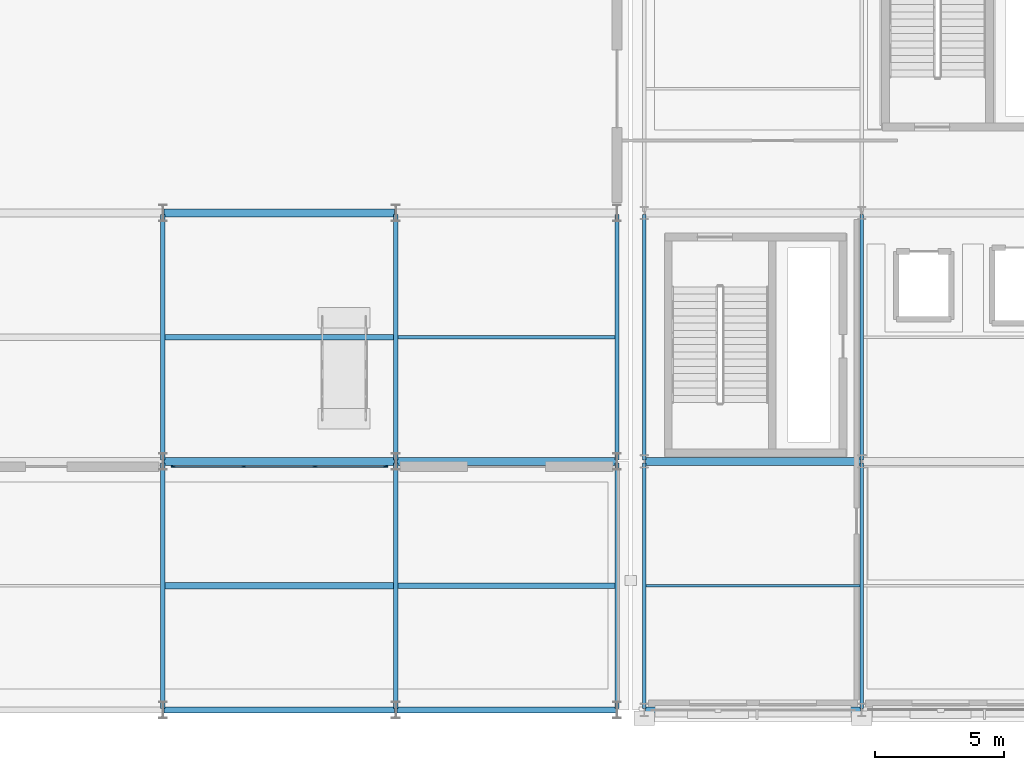
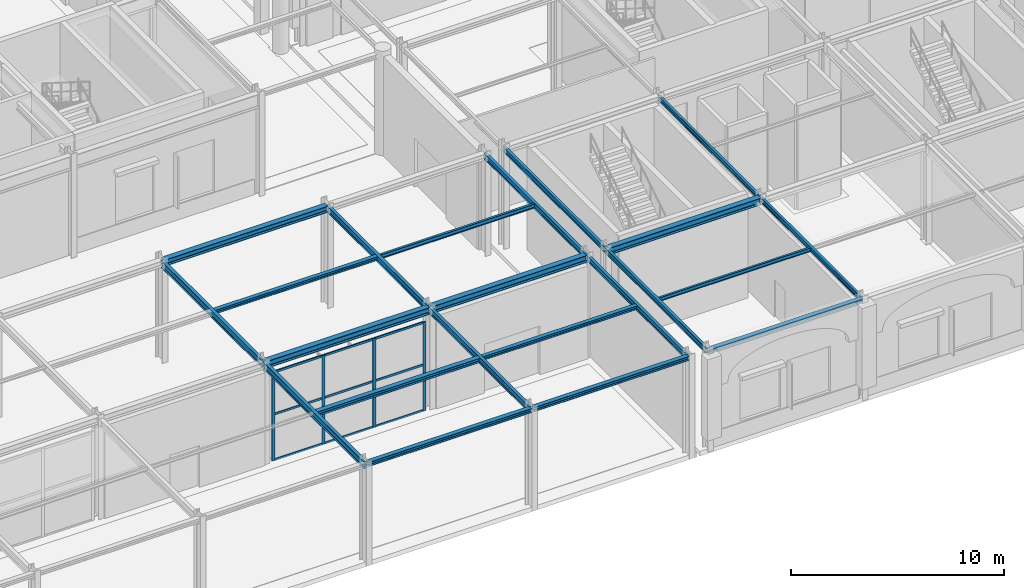
# One storey, part 31 of 113: 22 beams, 13 members, 1 element without a shape of its own.
"""IFC4 building model written with IfcOpenShell, lengths in metres."""

from ifc_helpers import new_model, si_unit, direction, frame, origin, origin_2d, place, context, subcontext, project, spatial, rectangle, i_section, extrude, material, layer, layer_set, material_profile, profile_set, type_object, element, aggregate, save


model = new_model("IFC4")

# Units and contexts
model_context = context("Model", 3, precision=1e-05, world=origin(), true_north=direction((0.0, 1.0)))
body_context = subcontext(model_context, "Body", "Model", "MODEL_VIEW")
ifc_project = project(units=[si_unit("LENGTHUNIT", "METRE"), si_unit("AREAUNIT", "SQUARE_METRE"), si_unit("VOLUMEUNIT", "CUBIC_METRE"), si_unit("PLANEANGLEUNIT", "RADIAN"), si_unit("MASSUNIT", "GRAM", prefix="KILO")], contexts=[model_context])

# Site, building, storey
site_placement = place(None, origin())
site = spatial("IfcSite", under=ifc_project, at=site_placement, CompositionType="ELEMENT")
building_placement = place(site_placement, origin())
building = spatial("IfcBuilding", under=site, at=building_placement, Name="Myrtia Square Station", CompositionType="ELEMENT")
storey_placement = place(building_placement, origin())
storey = spatial("IfcBuildingStorey", under=building, at=storey_placement, Name="L00", CompositionType="ELEMENT", Elevation=0.0)

# Beams
ifc_material_1 = material(Name="Steel S355", Category="steel")
ifc_material_profile_1 = material_profile(ifc_material_1, i_section(OverallWidth=0.300048828125, OverallDepth=0.360107421875, WebThickness=0.012451171875, FlangeThickness=0.0224609375, FilletRadius=0.027099609375, at=origin_2d()), Name="HEB 360")
ifc_profile_set_1 = profile_set([ifc_material_profile_1], Name="Steel S355")
beam_type_1 = type_object("IfcBeamType", Name="BM-HEB360", PredefinedType="BEAM", material=ifc_profile_set_1)
beam_1_placement = place(storey_placement, frame((99.050048828125, 19.199951171875, 5.580078125), z_axis=(1.0, 0.0, 0.0), x_axis=(0.0, 1.0, 0.0)))
element("IfcBeam", 1, at=beam_1_placement, inside=storey, type_object=beam_type_1, Name="Structural girder BMX-L00-0342", PredefinedType="BEAM", context=body_context, shape_type="SweptSolid", body=[
    extrude(i_section(OverallWidth=0.300048828125, OverallDepth=0.360107421875, WebThickness=0.012451171875, FlangeThickness=0.0224609375, FilletRadius=0.027099609375, at=origin_2d()), origin(), (0.0, 0.0, 1.0), 8.89990234375),
])
ifc_material_profile_2 = material_profile(ifc_material_1, i_section(OverallWidth=0.300048828125, OverallDepth=0.39990234375, WebThickness=0.013427734375, FlangeThickness=0.02392578125, FilletRadius=0.027099609375, at=origin_2d()), Name="HEB 400")
ifc_profile_set_2 = profile_set([ifc_material_profile_2], Name="Steel S355")
beam_type_2 = type_object("IfcBeamType", Name="BM-HEB400", PredefinedType="BEAM", material=ifc_profile_set_2)
beam_2_placement = place(storey_placement, frame((99.050048828125, 9.60009765625, 5.56005859375), z_axis=(1.0, 0.0, 0.0), x_axis=(0.0, 1.0, 0.0)))
element("IfcBeam", 2, at=beam_2_placement, inside=storey, type_object=beam_type_2, Name="Structural girder BMX-L00-0330", PredefinedType="BEAM", context=body_context, shape_type="SweptSolid", body=[
    extrude(i_section(OverallWidth=0.300048828125, OverallDepth=0.39990234375, WebThickness=0.013427734375, FlangeThickness=0.02392578125, FilletRadius=0.027099609375, at=origin_2d()), origin(), (0.0, 0.0, 1.0), 8.89990234375),
])
beam_3_placement = place(storey_placement, frame((108.050048828125, 9.60009765625, 5.56005859375), z_axis=(1.0, 0.0, 0.0), x_axis=(0.0, 1.0, 0.0)))
element("IfcBeam", 3, at=beam_3_placement, inside=storey, type_object=beam_type_2, Name="Structural girder BMX-L00-0331", PredefinedType="BEAM", context=body_context, shape_type="SweptSolid", body=[
    extrude(i_section(OverallWidth=0.300048828125, OverallDepth=0.39990234375, WebThickness=0.013427734375, FlangeThickness=0.02392578125, FilletRadius=0.027099609375, at=origin_2d()), origin(), (0.0, 0.0, 1.0), 8.449951171875),
])
beam_4_placement = place(storey_placement, frame((117.64990234375, 9.60009765625, 5.550048828125), z_axis=(1.0, 0.0, 0.0), x_axis=(0.0, 1.0, 0.0)))
element("IfcBeam", 4, at=beam_4_placement, inside=storey, type_object=beam_type_2, Name="Structural girder BMX-L00-0332", PredefinedType="BEAM", context=body_context, shape_type="SweptSolid", body=[
    extrude(i_section(OverallWidth=0.300048828125, OverallDepth=0.39990234375, WebThickness=0.013427734375, FlangeThickness=0.02392578125, FilletRadius=0.027099609375, at=origin_2d()), origin(), (0.0, 0.0, 1.0), 8.300048828125),
])
ifc_material_profile_3 = material_profile(ifc_material_1, i_section(OverallWidth=0.135009765625, OverallDepth=0.27001953125, WebThickness=0.006591796875, FlangeThickness=0.01025390625, FilletRadius=0.014892578125, at=origin_2d()), Name="IPE 270")
ifc_profile_set_3 = profile_set([ifc_material_profile_3], Name="Steel S355")
beam_type_3 = type_object("IfcBeamType", Name="BM-IPE270", PredefinedType="BEAM", material=ifc_profile_set_3)
for number, where, z_axis, x_axis, name in (
    (5, (126.0, 0.050048828125, 5.614990234375), (0.0, 1.0, 0.0), (-1.0, 0.0, 0.0), "Structural girder BMY-L00-0370"),
    (6, (126.0, 9.64990234375, 5.614990234375), (0.0, 1.0, 0.0), (-1.0, 0.0, 0.0), "Structural girder BMY-L00-0371"),
):
    element("IfcBeam", number, at=place(storey_placement, frame(where, z_axis=z_axis, x_axis=x_axis)), inside=storey, type_object=beam_type_3, Name=name, PredefinedType="BEAM", context=body_context, shape_type="SweptSolid", body=[
        extrude(i_section(OverallWidth=0.135009765625, OverallDepth=0.27001953125, WebThickness=0.006591796875, FlangeThickness=0.01025390625, FilletRadius=0.014892578125, at=origin_2d()), origin(), (0.0, 0.0, 1.0), 9.5),
    ])
ifc_material_profile_4 = material_profile(ifc_material_1, i_section(OverallWidth=0.14990234375, OverallDepth=0.300048828125, WebThickness=0.007080078125, FlangeThickness=0.0107421875, FilletRadius=0.014892578125, at=origin_2d()), Name="IPE 300")
ifc_profile_set_4 = profile_set([ifc_material_profile_4], Name="Steel S355")
beam_type_4 = type_object("IfcBeamType", Name="BM-IPE300", PredefinedType="BEAM", material=ifc_profile_set_4)
for number, where, z_axis, x_axis, name in (
    (7, (117.60009765625, 0.050048828125, 5.60009765625), (0.0, 1.0, 0.0), (-1.0, 0.0, 0.0), "Structural girder BMY-L00-0366"),
    (8, (117.60009765625, 9.64990234375, 5.60009765625), (0.0, 1.0, 0.0), (-1.0, 0.0, 0.0), "Structural girder BMY-L00-0367"),
):
    element("IfcBeam", number, at=place(storey_placement, frame(where, z_axis=z_axis, x_axis=x_axis)), inside=storey, type_object=beam_type_4, Name=name, PredefinedType="BEAM", context=body_context, shape_type="SweptSolid", body=[
        extrude(i_section(OverallWidth=0.14990234375, OverallDepth=0.300048828125, WebThickness=0.007080078125, FlangeThickness=0.0107421875, FilletRadius=0.014892578125, at=origin_2d()), origin(), (0.0, 0.0, 1.0), 9.5),
    ])
ifc_material_profile_5 = material_profile(ifc_material_1, i_section(OverallWidth=0.159912109375, OverallDepth=0.330078125, WebThickness=0.007568359375, FlangeThickness=0.011474609375, FilletRadius=0.01806640625, at=origin_2d()), Name="IPE 330")
ifc_profile_set_5 = profile_set([ifc_material_profile_5], Name="Steel S355")
beam_type_5 = type_object("IfcBeamType", Name="BM-IPE330", PredefinedType="BEAM", material=ifc_profile_set_5)
for number, where, z_axis, x_axis, name in (
    (9, (116.550048828125, 0.050048828125, 5.594970703125), (0.0, 1.0, 0.0), (-1.0, 0.0, 0.0), "Structural girder BMY-L00-0364"),
    (10, (116.550048828125, 9.64990234375, 5.594970703125), (0.0, 1.0, 0.0), (-1.0, 0.0, 0.0), "Structural girder BMY-L00-0365"),
):
    element("IfcBeam", number, at=place(storey_placement, frame(where, z_axis=z_axis, x_axis=x_axis)), inside=storey, type_object=beam_type_5, Name=name, PredefinedType="BEAM", context=body_context, shape_type="SweptSolid", body=[
        extrude(i_section(OverallWidth=0.159912109375, OverallDepth=0.330078125, WebThickness=0.007568359375, FlangeThickness=0.011474609375, FilletRadius=0.01806640625, at=origin_2d()), origin(), (0.0, 0.0, 1.0), 9.5),
    ])
ifc_material_profile_6 = material_profile(ifc_material_1, i_section(OverallWidth=0.169921875, OverallDepth=0.360107421875, WebThickness=0.008056640625, FlangeThickness=0.0126953125, FilletRadius=0.01806640625, at=origin_2d()), Name="IPE 360")
ifc_profile_set_6 = profile_set([ifc_material_profile_6], Name="Steel S355")
beam_type_6 = type_object("IfcBeamType", Name="BM-IPE360", PredefinedType="BEAM", material=ifc_profile_set_6)
for number, where, z_axis, x_axis, name in (
    (11, (108.0, 0.050048828125, 5.580078125), (0.0, 1.0, 0.0), (-1.0, 0.0, 0.0), "Structural girder BMY-L00-0362"),
    (12, (108.0, 9.64990234375, 5.580078125), (0.0, 1.0, 0.0), (-1.0, 0.0, 0.0), "Structural girder BMY-L00-0363"),
):
    element("IfcBeam", number, at=place(storey_placement, frame(where, z_axis=z_axis, x_axis=x_axis)), inside=storey, type_object=beam_type_6, Name=name, PredefinedType="BEAM", context=body_context, shape_type="SweptSolid", body=[
        extrude(i_section(OverallWidth=0.169921875, OverallDepth=0.360107421875, WebThickness=0.008056640625, FlangeThickness=0.0126953125, FilletRadius=0.01806640625, at=origin_2d()), origin(), (0.0, 0.0, 1.0), 9.5),
    ])
ifc_material_profile_7 = material_profile(ifc_material_1, i_section(OverallWidth=0.179931640625, OverallDepth=0.39990234375, WebThickness=0.008544921875, FlangeThickness=0.013427734375, FilletRadius=0.02099609375, at=origin_2d()), Name="IPE 400")
ifc_profile_set_7 = profile_set([ifc_material_profile_7], Name="Steel S355")
beam_type_7 = type_object("IfcBeamType", Name="BM-IPE400", PredefinedType="BEAM", material=ifc_profile_set_7)
for number, where, z_axis, x_axis, name in (
    (13, (99.0, 0.050048828125, 5.56005859375), (0.0, 1.0, 0.0), (-1.0, 0.0, 0.0), "Structural girder BMY-L00-0360"),
    (14, (99.0, 9.64990234375, 5.56005859375), (0.0, 1.0, 0.0), (-1.0, 0.0, 0.0), "Structural girder BMY-L00-0361"),
):
    element("IfcBeam", number, at=place(storey_placement, frame(where, z_axis=z_axis, x_axis=x_axis)), inside=storey, type_object=beam_type_7, Name=name, PredefinedType="BEAM", context=body_context, shape_type="SweptSolid", body=[
        extrude(i_section(OverallWidth=0.179931640625, OverallDepth=0.39990234375, WebThickness=0.008544921875, FlangeThickness=0.013427734375, FilletRadius=0.02099609375, at=origin_2d()), origin(), (0.0, 0.0, 1.0), 9.5),
    ])

# Curtain wall, members
ifc_material_2 = material(Name="Dark bronze anodised aluminium", Category="aluminium")
ifc_layer = layer(ifc_material_2, 0.159912109375, Name="Dark bronze anodised aluminium")
ifc_layer_set = layer_set([ifc_layer], Name="Dark bronze anodised aluminium")
curtain_wall_type = type_object("IfcCurtainWallType", Name="CW-TYPE-31-826x510", PredefinedType="USERDEFINED", material=ifc_layer_set)
curtain_wall_placement = place(storey_placement, origin())
curtain_wall = element("IfcCurtainWall", 15, at=curtain_wall_placement, inside=storey, type_object=curtain_wall_type, Name="Concourse curtain wall CW-L00-109", ObjectType="CONCOURSE CURTAIN WALL", PredefinedType="USERDEFINED")
ifc_material_profile_8 = material_profile(ifc_material_2, rectangle(XDim=0.06005859375, YDim=0.159912109375, at=origin_2d()), Name="ALU-M 60x160")
ifc_profile_set_8 = profile_set([ifc_material_profile_8], Name="Dark bronze anodised aluminium")
member_type_1 = type_object("IfcMemberType", Name="CWM-60x160", PredefinedType="MULLION", material=ifc_profile_set_8)
member_1_placement = place(storey_placement, frame((99.39990234375, 9.39990234375, 0.0), z_axis=(0.0, 0.0, 1.0), x_axis=(0.0, 1.0, 0.0)))
member_1 = element("IfcMember", 16, at=member_1_placement, type_object=member_type_1, Name="CW-109 mullion 1", PredefinedType="MULLION", context=body_context, shape_type="SweptSolid", body=[
    extrude(rectangle(XDim=0.06005859375, YDim=0.159912109375, at=origin_2d()), origin(), (0.0, 0.0, 1.0), 5.10009765625),
])
member_2_placement = place(storey_placement, frame((102.123291015625, 9.39990234375, 0.0), z_axis=(0.0, 0.0, 1.0), x_axis=(0.0, 1.0, 0.0)))
member_2 = element("IfcMember", 17, at=member_2_placement, type_object=member_type_1, Name="CW-109 mullion 2", PredefinedType="MULLION", context=body_context, shape_type="SweptSolid", body=[
    extrude(rectangle(XDim=0.06005859375, YDim=0.159912109375, at=origin_2d()), origin(), (0.0, 0.0, 1.0), 5.10009765625),
])
member_3_placement = place(storey_placement, frame((104.876708984375, 9.39990234375, 0.0), z_axis=(0.0, 0.0, 1.0), x_axis=(0.0, 1.0, 0.0)))
member_3 = element("IfcMember", 18, at=member_3_placement, type_object=member_type_1, Name="CW-109 mullion 3", PredefinedType="MULLION", context=body_context, shape_type="SweptSolid", body=[
    extrude(rectangle(XDim=0.06005859375, YDim=0.159912109375, at=origin_2d()), origin(), (0.0, 0.0, 1.0), 5.10009765625),
])
member_4_placement = place(storey_placement, frame((107.60009765625, 9.39990234375, 0.0), z_axis=(0.0, 0.0, 1.0), x_axis=(0.0, 1.0, 0.0)))
member_4 = element("IfcMember", 19, at=member_4_placement, type_object=member_type_1, Name="CW-109 mullion 4", PredefinedType="MULLION", context=body_context, shape_type="SweptSolid", body=[
    extrude(rectangle(XDim=0.06005859375, YDim=0.159912109375, at=origin_2d()), origin(), (0.0, 0.0, 1.0), 5.10009765625),
])
ifc_material_profile_9 = material_profile(ifc_material_2, rectangle(XDim=0.06005859375, YDim=0.1201171875, at=origin_2d()), Name="ALU-T 60x120")
ifc_profile_set_9 = profile_set([ifc_material_profile_9], Name="Dark bronze anodised aluminium")
member_type_2 = type_object("IfcMemberType", Name="CWT-60x120", PredefinedType="USERDEFINED", material=ifc_profile_set_9)
member_5_placement = place(storey_placement, frame((99.429931640625, 9.39990234375, 0.030029296875), z_axis=(1.0, 0.0, 0.0), x_axis=(0.0, 1.0, 0.0)))
member_5 = element("IfcMember", 20, at=member_5_placement, type_object=member_type_2, Name="CW-109 transom 1.1", ObjectType="TRANSOM", PredefinedType="USERDEFINED", context=body_context, shape_type="SweptSolid", body=[
    extrude(rectangle(XDim=0.06005859375, YDim=0.1201171875, at=origin_2d()), origin(), (0.0, 0.0, 1.0), 2.663330078125),
])
member_6_placement = place(storey_placement, frame((99.429931640625, 9.39990234375, 2.652099609375), z_axis=(1.0, 0.0, 0.0), x_axis=(0.0, 1.0, 0.0)))
member_6 = element("IfcMember", 21, at=member_6_placement, type_object=member_type_2, Name="CW-109 transom 1.2", ObjectType="TRANSOM", PredefinedType="USERDEFINED", context=body_context, shape_type="SweptSolid", body=[
    extrude(rectangle(XDim=0.06005859375, YDim=0.1201171875, at=origin_2d()), origin(), (0.0, 0.0, 1.0), 2.663330078125),
])
member_7_placement = place(storey_placement, frame((99.429931640625, 9.39990234375, 5.070068359375), z_axis=(1.0, 0.0, 0.0), x_axis=(0.0, 1.0, 0.0)))
member_7 = element("IfcMember", 22, at=member_7_placement, type_object=member_type_2, Name="CW-109 transom 1.3", ObjectType="TRANSOM", PredefinedType="USERDEFINED", context=body_context, shape_type="SweptSolid", body=[
    extrude(rectangle(XDim=0.06005859375, YDim=0.1201171875, at=origin_2d()), origin(), (0.0, 0.0, 1.0), 2.663330078125),
])
member_8_placement = place(storey_placement, frame((102.1533203125, 9.39990234375, 0.030029296875), z_axis=(1.0, 0.0, 0.0), x_axis=(0.0, 1.0, 0.0)))
member_8 = element("IfcMember", 23, at=member_8_placement, type_object=member_type_2, Name="CW-109 transom 2.1", ObjectType="TRANSOM", PredefinedType="USERDEFINED", context=body_context, shape_type="SweptSolid", body=[
    extrude(rectangle(XDim=0.06005859375, YDim=0.1201171875, at=origin_2d()), origin(), (0.0, 0.0, 1.0), 2.693359375),
])
member_9_placement = place(storey_placement, frame((102.1533203125, 9.39990234375, 2.652099609375), z_axis=(1.0, 0.0, 0.0), x_axis=(0.0, 1.0, 0.0)))
member_9 = element("IfcMember", 24, at=member_9_placement, type_object=member_type_2, Name="CW-109 transom 2.2", ObjectType="TRANSOM", PredefinedType="USERDEFINED", context=body_context, shape_type="SweptSolid", body=[
    extrude(rectangle(XDim=0.06005859375, YDim=0.1201171875, at=origin_2d()), origin(), (0.0, 0.0, 1.0), 2.693359375),
])
member_10_placement = place(storey_placement, frame((102.1533203125, 9.39990234375, 5.070068359375), z_axis=(1.0, 0.0, 0.0), x_axis=(0.0, 1.0, 0.0)))
member_10 = element("IfcMember", 25, at=member_10_placement, type_object=member_type_2, Name="CW-109 transom 2.3", ObjectType="TRANSOM", PredefinedType="USERDEFINED", context=body_context, shape_type="SweptSolid", body=[
    extrude(rectangle(XDim=0.06005859375, YDim=0.1201171875, at=origin_2d()), origin(), (0.0, 0.0, 1.0), 2.693359375),
])
member_11_placement = place(storey_placement, frame((104.90673828125, 9.39990234375, 0.030029296875), z_axis=(1.0, 0.0, 0.0), x_axis=(0.0, 1.0, 0.0)))
member_11 = element("IfcMember", 26, at=member_11_placement, type_object=member_type_2, Name="CW-109 transom 3.1", ObjectType="TRANSOM", PredefinedType="USERDEFINED", context=body_context, shape_type="SweptSolid", body=[
    extrude(rectangle(XDim=0.06005859375, YDim=0.1201171875, at=origin_2d()), origin(), (0.0, 0.0, 1.0), 2.663330078125),
])
member_12_placement = place(storey_placement, frame((104.90673828125, 9.39990234375, 2.652099609375), z_axis=(1.0, 0.0, 0.0), x_axis=(0.0, 1.0, 0.0)))
member_12 = element("IfcMember", 27, at=member_12_placement, type_object=member_type_2, Name="CW-109 transom 3.2", ObjectType="TRANSOM", PredefinedType="USERDEFINED", context=body_context, shape_type="SweptSolid", body=[
    extrude(rectangle(XDim=0.06005859375, YDim=0.1201171875, at=origin_2d()), origin(), (0.0, 0.0, 1.0), 2.663330078125),
])
member_13_placement = place(storey_placement, frame((104.90673828125, 9.39990234375, 5.070068359375), z_axis=(1.0, 0.0, 0.0), x_axis=(0.0, 1.0, 0.0)))
member_13 = element("IfcMember", 28, at=member_13_placement, type_object=member_type_2, Name="CW-109 transom 3.3", ObjectType="TRANSOM", PredefinedType="USERDEFINED", context=body_context, shape_type="SweptSolid", body=[
    extrude(rectangle(XDim=0.06005859375, YDim=0.1201171875, at=origin_2d()), origin(), (0.0, 0.0, 1.0), 2.663330078125),
])
aggregate(curtain_wall, [member_1, member_2, member_3, member_4, member_5, member_6, member_7, member_8, member_9, member_10, member_11, member_12, member_13])

# Beams
ifc_material_profile_10 = material_profile(ifc_material_1, i_section(OverallWidth=0.219970703125, OverallDepth=0.2099609375, WebThickness=0.007080078125, FlangeThickness=0.010986328125, FilletRadius=0.01806640625, at=origin_2d()), Name="HEA 220")
ifc_profile_set_10 = profile_set([ifc_material_profile_10], Name="Steel S355")
beam_type_8 = type_object("IfcBeamType", Name="JST-HEA220", PredefinedType="JOIST", material=ifc_profile_set_10)
beam_5_placement = place(storey_placement, frame((99.090087890625, 14.39990234375, 5.655029296875), z_axis=(1.0, 0.0, 0.0), x_axis=(0.0, 1.0, 0.0)))
element("IfcBeam", 29, at=beam_5_placement, inside=storey, type_object=beam_type_8, Name="Composite floor joist L00-0040", PredefinedType="JOIST", context=body_context, shape_type="SweptSolid", body=[
    extrude(i_section(OverallWidth=0.219970703125, OverallDepth=0.2099609375, WebThickness=0.007080078125, FlangeThickness=0.010986328125, FilletRadius=0.01806640625, at=origin_2d()), origin(), (0.0, 0.0, 1.0), 8.824951171875),
])
beam_6_placement = place(storey_placement, frame((108.0849609375, 4.800048828125, 5.655029296875), z_axis=(1.0, 0.0, 0.0), x_axis=(0.0, 1.0, 0.0)))
element("IfcBeam", 30, at=beam_6_placement, inside=storey, type_object=beam_type_8, Name="Composite floor joist L00-0041", PredefinedType="JOIST", context=body_context, shape_type="SweptSolid", body=[
    extrude(i_section(OverallWidth=0.219970703125, OverallDepth=0.2099609375, WebThickness=0.007080078125, FlangeThickness=0.010986328125, FilletRadius=0.01806640625, at=origin_2d()), origin(), (0.0, 0.0, 1.0), 8.385009765625),
])
ifc_material_profile_11 = material_profile(ifc_material_1, i_section(OverallWidth=0.260009765625, OverallDepth=0.25, WebThickness=0.007568359375, FlangeThickness=0.012451171875, FilletRadius=0.02392578125, at=origin_2d()), Name="HEA 260")
ifc_profile_set_11 = profile_set([ifc_material_profile_11], Name="Steel S355")
beam_type_9 = type_object("IfcBeamType", Name="JST-HEA260", PredefinedType="JOIST", material=ifc_profile_set_11)
beam_7_placement = place(storey_placement, frame((99.090087890625, 4.800048828125, 5.635009765625), z_axis=(1.0, 0.0, 0.0), x_axis=(0.0, 1.0, 0.0)))
element("IfcBeam", 31, at=beam_7_placement, inside=storey, type_object=beam_type_9, Name="Composite floor joist L00-0039", PredefinedType="JOIST", context=body_context, shape_type="SweptSolid", body=[
    extrude(i_section(OverallWidth=0.260009765625, OverallDepth=0.25, WebThickness=0.007568359375, FlangeThickness=0.012451171875, FilletRadius=0.02392578125, at=origin_2d()), origin(), (0.0, 0.0, 1.0), 8.824951171875),
])
ifc_material_profile_12 = material_profile(ifc_material_1, i_section(OverallWidth=0.110107421875, OverallDepth=0.219970703125, WebThickness=0.005859375, FlangeThickness=0.00927734375, FilletRadius=0.011962890625, at=origin_2d()), Name="IPE 220")
ifc_profile_set_12 = profile_set([ifc_material_profile_12], Name="Steel S355")
beam_type_10 = type_object("IfcBeamType", Name="JST-IPE220", PredefinedType="JOIST", material=ifc_profile_set_12)
beam_8_placement = place(storey_placement, frame((117.675048828125, 4.800048828125, 5.639892578125), z_axis=(1.0, 0.0, 0.0), x_axis=(0.0, 1.0, 0.0)))
element("IfcBeam", 32, at=beam_8_placement, inside=storey, type_object=beam_type_10, Name="Composite floor joist L00-0043", PredefinedType="JOIST", context=body_context, shape_type="SweptSolid", body=[
    extrude(i_section(OverallWidth=0.110107421875, OverallDepth=0.219970703125, WebThickness=0.005859375, FlangeThickness=0.00927734375, FilletRadius=0.011962890625, at=origin_2d()), origin(), (0.0, 0.0, 1.0), 8.257568359375),
])
ifc_material_profile_13 = material_profile(ifc_material_1, i_section(OverallWidth=0.1201171875, OverallDepth=0.239990234375, WebThickness=0.006103515625, FlangeThickness=0.009765625, FilletRadius=0.014892578125, at=origin_2d()), Name="IPE 240")
ifc_profile_set_13 = profile_set([ifc_material_profile_13], Name="Steel S355")
beam_type_11 = type_object("IfcBeamType", Name="JST-IPE240", PredefinedType="JOIST", material=ifc_profile_set_13)
beam_9_placement = place(storey_placement, frame((108.0849609375, 14.39990234375, 5.639892578125), z_axis=(1.0, 0.0, 0.0), x_axis=(0.0, 1.0, 0.0)))
element("IfcBeam", 33, at=beam_9_placement, inside=storey, type_object=beam_type_11, Name="Composite floor joist L00-0042", PredefinedType="JOIST", context=body_context, shape_type="SweptSolid", body=[
    extrude(i_section(OverallWidth=0.1201171875, OverallDepth=0.239990234375, WebThickness=0.006103515625, FlangeThickness=0.009765625, FilletRadius=0.014892578125, at=origin_2d()), origin(), (0.0, 0.0, 1.0), 8.385009765625),
])
ifc_material_profile_14 = material_profile(ifc_material_1, i_section(OverallWidth=0.239990234375, OverallDepth=0.239990234375, WebThickness=0.010009765625, FlangeThickness=0.01708984375, FilletRadius=0.02099609375, at=origin_2d()), Name="HEB 240")
ifc_profile_set_14 = profile_set([ifc_material_profile_14], Name="Steel S355")
beam_type_12 = type_object("IfcBeamType", Name="SPN-HEB240", PredefinedType="SPANDREL", material=ifc_profile_set_14)
beam_10_placement = place(storey_placement, frame((99.050048828125, 0.0, 5.639892578125), z_axis=(1.0, 0.0, 0.0), x_axis=(0.0, 1.0, 0.0)))
element("IfcBeam", 34, at=beam_10_placement, inside=storey, type_object=beam_type_12, Name="Structural girder SPN-L00-0097", PredefinedType="SPANDREL", context=body_context, shape_type="SweptSolid", body=[
    extrude(i_section(OverallWidth=0.239990234375, OverallDepth=0.239990234375, WebThickness=0.010009765625, FlangeThickness=0.01708984375, FilletRadius=0.02099609375, at=origin_2d()), origin(), (0.0, 0.0, 1.0), 8.89990234375),
])
beam_11_placement = place(storey_placement, frame((108.050048828125, 0.0, 5.639892578125), z_axis=(1.0, 0.0, 0.0), x_axis=(0.0, 1.0, 0.0)))
element("IfcBeam", 35, at=beam_11_placement, inside=storey, type_object=beam_type_12, Name="Structural girder SPN-L00-0098", PredefinedType="SPANDREL", context=body_context, shape_type="SweptSolid", body=[
    extrude(i_section(OverallWidth=0.239990234375, OverallDepth=0.239990234375, WebThickness=0.010009765625, FlangeThickness=0.01708984375, FilletRadius=0.02099609375, at=origin_2d()), origin(), (0.0, 0.0, 1.0), 8.449951171875),
])
beam_12_placement = place(storey_placement, frame((117.64990234375, 0.0, 5.6298828125), z_axis=(1.0, 0.0, 0.0), x_axis=(0.0, 1.0, 0.0)))
element("IfcBeam", 36, at=beam_12_placement, inside=storey, type_object=beam_type_12, Name="Structural girder SPN-L00-0099", PredefinedType="SPANDREL", context=body_context, shape_type="SweptSolid", body=[
    extrude(i_section(OverallWidth=0.239990234375, OverallDepth=0.239990234375, WebThickness=0.010009765625, FlangeThickness=0.01708984375, FilletRadius=0.02099609375, at=origin_2d()), origin(), (0.0, 0.0, 1.0), 8.300048828125),
])

save(model, "model.ifc")
